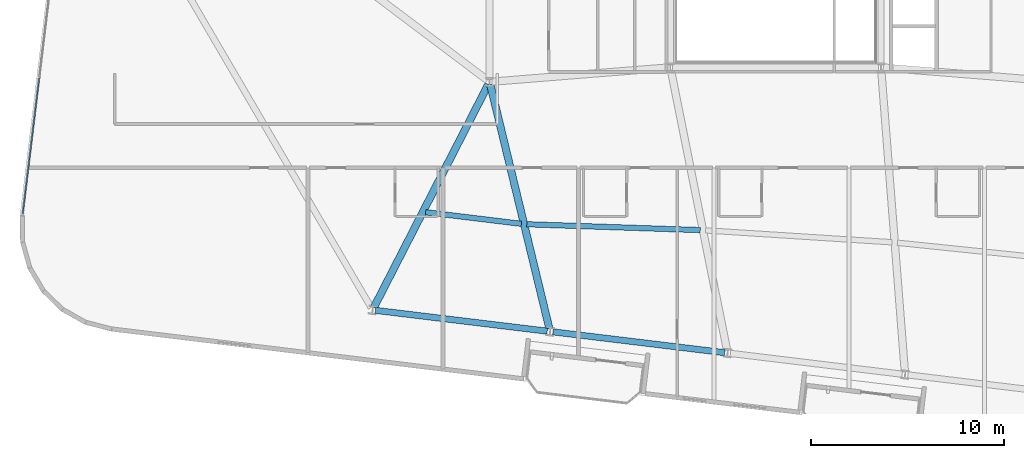
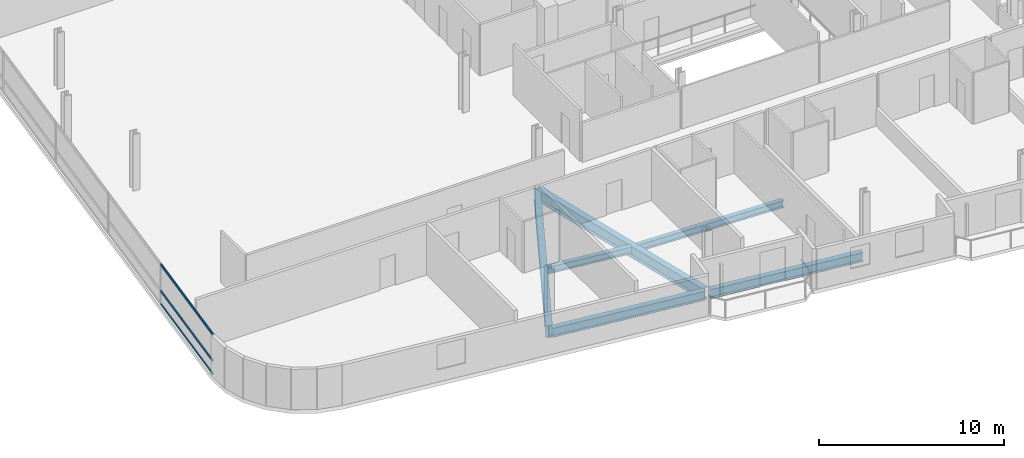
# One storey, part 3 of 26: 6 beams, 3 members, 1 element without a shape of its own.
"""IFC4 building model written with IfcOpenShell, lengths in metres."""

from ifc_helpers import new_model, si_unit, direction, frame, origin, origin_2d, place, context, subcontext, project, spatial, hollow_rectangle, i_section, extrude, material, layer, layer_set, material_profile, profile_set, type_object, element, aggregate, save


model = new_model("IFC4")

# Units and contexts
model_context = context("Model", 3, precision=1e-05, world=origin(), true_north=direction((0.0, 1.0)))
body_context = subcontext(model_context, "Body", "Model", "MODEL_VIEW")
ifc_project = project(units=[si_unit("LENGTHUNIT", "METRE"), si_unit("AREAUNIT", "SQUARE_METRE"), si_unit("VOLUMEUNIT", "CUBIC_METRE"), si_unit("PLANEANGLEUNIT", "RADIAN"), si_unit("MASSUNIT", "GRAM", prefix="KILO")], contexts=[model_context])

# Site, building, storey
site_placement = place(None, origin())
site = spatial("IfcSite", under=ifc_project, at=site_placement, CompositionType="ELEMENT")
building_placement = place(site_placement, origin())
building = spatial("IfcBuilding", under=site, at=building_placement, Name="Varnelok Gate Tower", CompositionType="ELEMENT")
storey_placement = place(building_placement, frame((0.0, 0.0, 158.699951171875)))
storey = spatial("IfcBuildingStorey", under=building, at=storey_placement, Name="L40", CompositionType="ELEMENT", Elevation=158.699951171875)

# Beams
ifc_material_1 = material(Name="Structural Steel ASTM A992 Grade 50", Category="steel")
ifc_material_profile_1 = material_profile(ifc_material_1, i_section(OverallWidth=0.280029296875, OverallDepth=0.462890625, WebThickness=0.0107421875, FlangeThickness=0.017333984375, FilletRadius=0.014892578125, at=origin_2d()), Name="W18X76")
ifc_profile_set_1 = profile_set([ifc_material_profile_1], Name="Structural Steel ASTM A992 Grade 50")
beam_type_1 = type_object("IfcBeamType", Name="BM-JST-W18X76", PredefinedType="JOIST", material=ifc_profile_set_1)
beam_1_placement = place(storey_placement, frame((21.087890625, 12.055419921875, -0.4814453125), z_axis=(0.992726345513, -0.120392702953, 0.0), x_axis=(0.120392702953, 0.992726345513, 0.0)))
element("IfcBeam", 1, at=beam_1_placement, inside=storey, type_object=beam_type_1, Name="L40 Sector Floor Joist 1", PredefinedType="JOIST", context=body_context, shape_type="SweptSolid", body=[
    extrude(i_section(OverallWidth=0.280029296875, OverallDepth=0.462890625, WebThickness=0.0107421875, FlangeThickness=0.017333984375, FilletRadius=0.014892578125, at=origin_2d()), origin(), (0.0, 0.0, 1.0), 4.99267578125),
])
beam_2_placement = place(storey_placement, frame((26.3232421875, 11.432861328125, -0.4814453125), z_axis=(0.999432496995, -0.03368507015, 0.0), x_axis=(0.03368507015, 0.999432496995, 0.0)))
element("IfcBeam", 2, at=beam_2_placement, inside=storey, type_object=beam_type_1, Name="L40 Sector Floor Joist 2", PredefinedType="JOIST", context=body_context, shape_type="SweptSolid", body=[
    extrude(i_section(OverallWidth=0.280029296875, OverallDepth=0.462890625, WebThickness=0.0107421875, FlangeThickness=0.017333984375, FilletRadius=0.014892578125, at=origin_2d()), origin(), (0.0, 0.0, 1.0), 8.97998046875),
])
ifc_material_profile_2 = material_profile(ifc_material_1, i_section(OverallWidth=0.381103515625, OverallDepth=0.77294921875, WebThickness=0.0166015625, FlangeThickness=0.027099609375, FilletRadius=0.02197265625, at=origin_2d()), Name="W30X173")
ifc_profile_set_2 = profile_set([ifc_material_profile_2], Name="Structural Steel ASTM A992 Grade 50")
beam_type_2 = type_object("IfcBeamType", Name="BM-PRI-W30X173", PredefinedType="BEAM", material=ifc_profile_set_2)
beam_3_placement = place(storey_placement, frame((24.33154296875, 18.66650390625, -0.636474609375), z_axis=(-0.456386604987, -0.889781583754, 0.0), x_axis=(0.889781583754, -0.456386604987, 0.0)))
element("IfcBeam", 3, at=beam_3_placement, inside=storey, type_object=beam_type_2, Name="L40 Radial Floor Girder 1", PredefinedType="BEAM", context=body_context, shape_type="SweptSolid", body=[
    extrude(i_section(OverallWidth=0.381103515625, OverallDepth=0.77294921875, WebThickness=0.0166015625, FlangeThickness=0.027099609375, FilletRadius=0.02197265625, at=origin_2d()), origin(), (0.0, 0.0, 1.0), 12.96533203125),
])
beam_4_placement = place(storey_placement, frame((24.435302734375, 18.654296875, -0.636474609375), z_axis=(0.235400453941, -0.971898465008, 0.0), x_axis=(0.971898465008, 0.235400453941, 0.0)))
element("IfcBeam", 4, at=beam_4_placement, inside=storey, type_object=beam_type_2, Name="L40 Radial Floor Girder 2", PredefinedType="BEAM", context=body_context, shape_type="SweptSolid", body=[
    extrude(i_section(OverallWidth=0.381103515625, OverallDepth=0.77294921875, WebThickness=0.0166015625, FlangeThickness=0.027099609375, FilletRadius=0.02197265625, at=origin_2d()), origin(), (0.0, 0.0, 1.0), 12.989990234375),
])
ifc_material_profile_3 = material_profile(ifc_material_1, i_section(OverallWidth=0.323974609375, OverallDepth=0.611083984375, WebThickness=0.0126953125, FlangeThickness=0.01904296875, FilletRadius=0.01806640625, at=origin_2d()), Name="W24X104")
ifc_profile_set_3 = profile_set([ifc_material_profile_3], Name="Structural Steel ASTM A992 Grade 50")
beam_type_3 = type_object("IfcBeamType", Name="BM-SPN-W24X104", PredefinedType="SPANDREL", material=ifc_profile_set_3)
for number, where, z_axis, x_axis, name in (
    (5, (18.49462890625, 6.978515625, -0.555419921875), (0.992734670707, -0.120324035735, 0.0), (0.120324035735, 0.992734670707, 0.0), "L40 Perimeter Spandrel Beam 1"),
    (6, (27.677490234375, 5.865478515625, -0.555419921875), (0.99273141198, -0.120350918849, 0.0), (0.120350918849, 0.99273141198, 0.0), "L40 Perimeter Spandrel Beam 2"),
):
    element("IfcBeam", number, at=place(storey_placement, frame(where, z_axis=z_axis, x_axis=x_axis)), inside=storey, type_object=beam_type_3, Name=name, PredefinedType="SPANDREL", context=body_context, shape_type="SweptSolid", body=[
        extrude(i_section(OverallWidth=0.323974609375, OverallDepth=0.611083984375, WebThickness=0.0126953125, FlangeThickness=0.01904296875, FilletRadius=0.01806640625, at=origin_2d()), origin(), (0.0, 0.0, 1.0), 8.949951171875),
    ])

# Curtain wall, members
ifc_material_2 = material(Name="Anodized Aluminum Alloy 6063-T6", Category="aluminium")
ifc_layer = layer(ifc_material_2, 0.179931640625)
ifc_layer_set = layer_set([ifc_layer], Name="Anodized Aluminum Alloy 6063-T6")
curtain_wall_type = type_object("IfcCurtainWallType", Name="CW3-HOTEL-VISION", PredefinedType="USERDEFINED", material=ifc_layer_set)
curtain_wall_placement = place(storey_placement, origin())
curtain_wall = element("IfcCurtainWall", 7, at=curtain_wall_placement, inside=storey, type_object=curtain_wall_type, Name="L40 West End Vision Curtain Wall", ObjectType="UNITISED CURTAIN WALL", PredefinedType="USERDEFINED")
ifc_material_profile_4 = material_profile(ifc_material_2, hollow_rectangle(XDim=0.06494140625, YDim=0.159912109375, WallThickness=0.00390625, at=origin_2d()), Name="ALU160X65X4")
ifc_profile_set_4 = profile_set([ifc_material_profile_4], Name="Anodized Aluminum Alloy 6063-T6")
member_type = type_object("IfcMemberType", Name="CW-TRAN-160", PredefinedType="USERDEFINED", material=ifc_profile_set_4)
member_1_placement = place(storey_placement, frame((0.2509765625, 11.955322265625, 0.032470703125), z_axis=(0.120344712857, 0.992732164326, 0.0), x_axis=(-0.992732164326, 0.120344712857, 0.0)))
member_1 = element("IfcMember", 8, at=member_1_placement, type_object=member_type, Name="CW3 transom 1.1", ObjectType="TRANSOM", PredefinedType="USERDEFINED", context=body_context, shape_type="SweptSolid", body=[
    extrude(hollow_rectangle(XDim=0.06494140625, YDim=0.159912109375, WallThickness=0.00390625, at=origin_2d()), origin(), (0.0, 0.0, 1.0), 7.102294921875),
])
member_2_placement = place(storey_placement, frame((0.2509765625, 11.955322265625, 0.900146484375), z_axis=(0.120344712857, 0.992732164326, 0.0), x_axis=(-0.992732164326, 0.120344712857, 0.0)))
member_2 = element("IfcMember", 9, at=member_2_placement, type_object=member_type, Name="CW3 transom 1.2", ObjectType="TRANSOM", PredefinedType="USERDEFINED", context=body_context, shape_type="SweptSolid", body=[
    extrude(hollow_rectangle(XDim=0.06494140625, YDim=0.159912109375, WallThickness=0.00390625, at=origin_2d()), origin(), (0.0, 0.0, 1.0), 7.102294921875),
])
member_3_placement = place(storey_placement, frame((0.2509765625, 11.955322265625, 2.62744140625), z_axis=(0.120344712857, 0.992732164326, 0.0), x_axis=(-0.992732164326, 0.120344712857, 0.0)))
member_3 = element("IfcMember", 10, at=member_3_placement, type_object=member_type, Name="CW3 transom 1.3", ObjectType="TRANSOM", PredefinedType="USERDEFINED", context=body_context, shape_type="SweptSolid", body=[
    extrude(hollow_rectangle(XDim=0.06494140625, YDim=0.159912109375, WallThickness=0.00390625, at=origin_2d()), origin(), (0.0, 0.0, 1.0), 7.102294921875),
])
aggregate(curtain_wall, [member_1, member_2, member_3])

save(model, "model.ifc")
